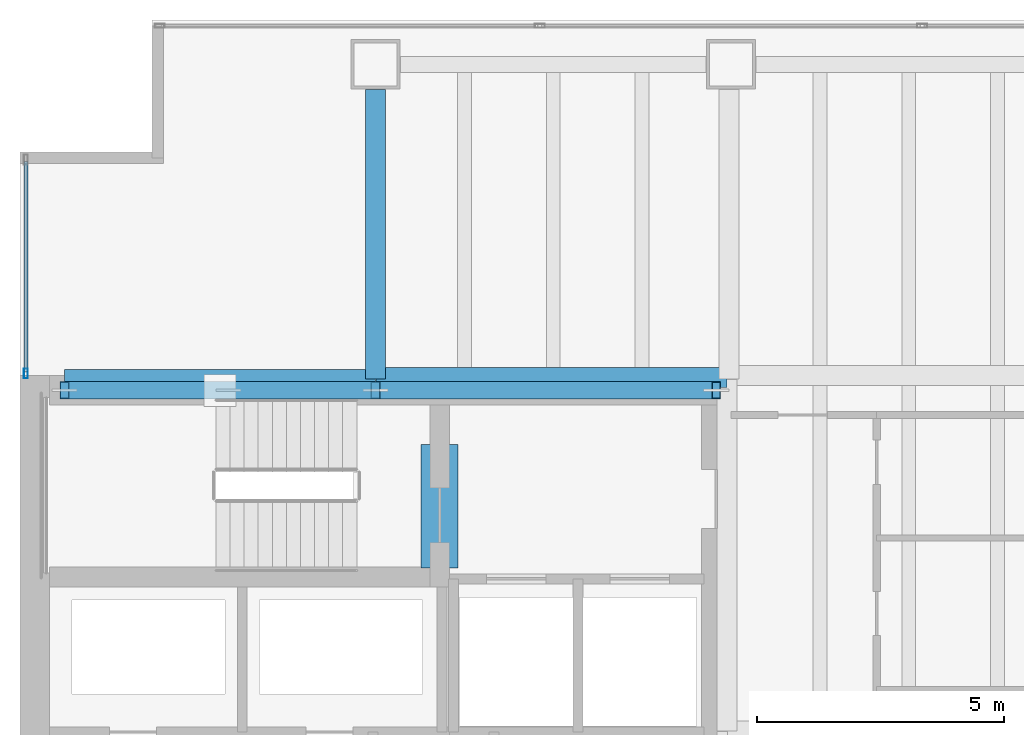
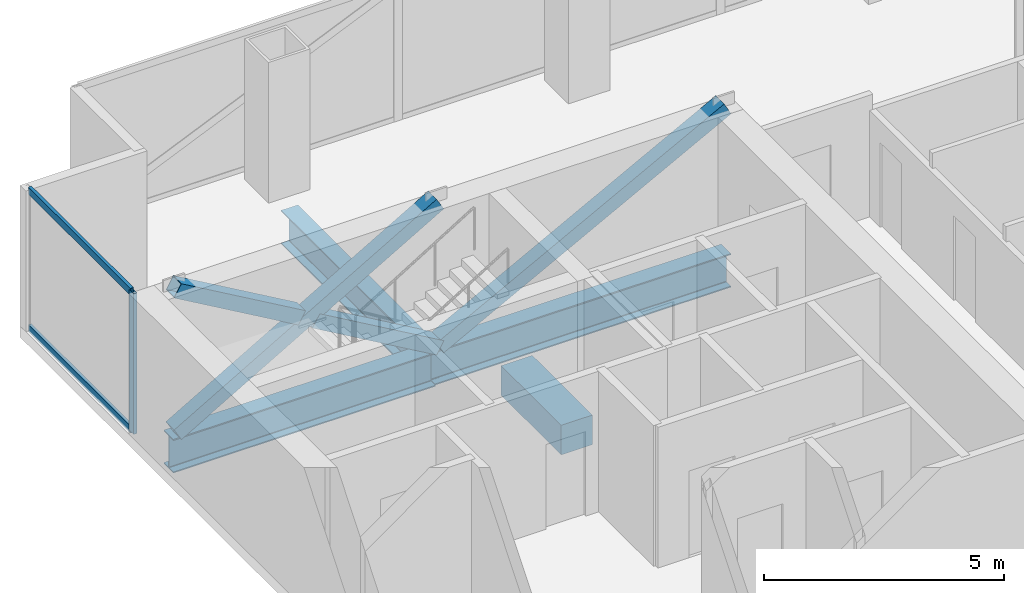
# One storey, part 14 of 23: 7 members, 4 beams, 1 element without a shape of its own.
"""IFC4 building model written with IfcOpenShell, lengths in metres."""

from ifc_helpers import new_model, si_unit, direction, frame, origin, origin_2d, place, context, subcontext, project, spatial, rectangle, hollow_rectangle, i_section, extrude, material, material_profile, profile_set, type_object, element, aggregate, save


model = new_model("IFC4")

# Units and contexts
model_context = context("Model", 3, precision=1e-05, world=origin(), true_north=direction((0.0, 1.0)))
body_context = subcontext(model_context, "Body", "Model", "MODEL_VIEW")
ifc_project = project(units=[si_unit("LENGTHUNIT", "METRE"), si_unit("AREAUNIT", "SQUARE_METRE"), si_unit("VOLUMEUNIT", "CUBIC_METRE"), si_unit("PLANEANGLEUNIT", "RADIAN"), si_unit("MASSUNIT", "GRAM", prefix="KILO")], contexts=[model_context])

# Site, building, storey
site_placement = place(None, origin())
site = spatial("IfcSite", under=ifc_project, at=site_placement, CompositionType="ELEMENT")
building_placement = place(site_placement, origin())
building = spatial("IfcBuilding", under=site, at=building_placement, Name="Cobrela Telecom Tower", CompositionType="ELEMENT")
storey_placement = place(building_placement, frame((0.0, 0.0, 54.25)))
storey = spatial("IfcBuildingStorey", under=building, at=storey_placement, Name="L13", CompositionType="ELEMENT", Elevation=54.25)

# Beams
ifc_material_1 = material(Name="Concrete C40/50", Category="concrete")
ifc_material_profile_1 = material_profile(ifc_material_1, rectangle(XDim=0.75, YDim=0.75, at=origin_2d()), Name="RC 750x750")
ifc_profile_set_1 = profile_set([ifc_material_profile_1], Name="Concrete C40/50")
beam_type_1 = type_object("IfcBeamType", Name="BM-COUP-RC", PredefinedType="LINTEL", material=ifc_profile_set_1)
beam_1_placement = place(storey_placement, frame((8.5, 32.10009765625, -0.6298828125), z_axis=(0.0, 1.0, 0.0), x_axis=(-1.0, 0.0, 0.0)))
element("IfcBeam", 1, at=beam_1_placement, inside=storey, type_object=beam_type_1, Name="L13 Core Coupling Lintel Beam", PredefinedType="LINTEL", context=body_context, shape_type="SweptSolid", body=[
    extrude(rectangle(XDim=0.75, YDim=0.75, at=origin_2d()), origin(), (0.0, 0.0, 1.0), 2.5),
])
ifc_material_2 = material(Name="Steel ASTM A992 Grade 50", Category="steel")
ifc_material_profile_2 = material_profile(ifc_material_2, i_section(OverallWidth=0.39892578125, OverallDepth=0.85595703125, WebThickness=0.018310546875, FlangeThickness=0.029296875, FilletRadius=0.02001953125, at=origin_2d()), Name="W33X201")
ifc_profile_set_2 = profile_set([ifc_material_profile_2], Name="Steel ASTM A992 Grade 50")
beam_type_2 = type_object("IfcBeamType", Name="BM-GIRD-03", PredefinedType="USERDEFINED", material=ifc_profile_set_2)
beam_2_placement = place(storey_placement, frame((0.905029296875, 35.919921875, -0.7080078125), z_axis=(1.0, 0.0, 0.0), x_axis=(0.0, 1.0, 0.0)))
element("IfcBeam", 2, at=beam_2_placement, inside=storey, type_object=beam_type_2, Name="L13 Primary Girder X25", ObjectType="GIRDER", PredefinedType="USERDEFINED", context=body_context, shape_type="SweptSolid", body=[
    extrude(i_section(OverallWidth=0.39892578125, OverallDepth=0.85595703125, WebThickness=0.018310546875, FlangeThickness=0.029296875, FilletRadius=0.02001953125, at=origin_2d()), origin(), (0.0, 0.0, 1.0), 6.2900390625),
])
beam_3_placement = place(storey_placement, frame((7.205078125, 35.9599609375, -0.7080078125), z_axis=(1.0, 0.0, 0.0), x_axis=(0.0, 1.0, 0.0)))
element("IfcBeam", 3, at=beam_3_placement, inside=storey, type_object=beam_type_2, Name="L13 Primary Girder X26", ObjectType="GIRDER", PredefinedType="USERDEFINED", context=body_context, shape_type="SweptSolid", body=[
    extrude(i_section(OverallWidth=0.39892578125, OverallDepth=0.85595703125, WebThickness=0.018310546875, FlangeThickness=0.029296875, FilletRadius=0.02001953125, at=origin_2d()), origin(), (0.0, 0.0, 1.0), 7.10986328125),
])
beam_4_placement = place(storey_placement, frame((7.199951171875, 35.925048828125, -0.7080078125), z_axis=(0.0, 1.0, 0.0), x_axis=(-1.0, 0.0, 0.0)))
element("IfcBeam", 4, at=beam_4_placement, inside=storey, type_object=beam_type_2, Name="L13 Primary Girder Y33", ObjectType="GIRDER", PredefinedType="USERDEFINED", context=body_context, shape_type="SweptSolid", body=[
    extrude(i_section(OverallWidth=0.39892578125, OverallDepth=0.85595703125, WebThickness=0.018310546875, FlangeThickness=0.029296875, FilletRadius=0.02001953125, at=origin_2d()), origin(), (0.0, 0.0, 1.0), 5.869873046875),
])

# Curtain wall, members
ifc_material_3 = material(Name="Anodized Bronze Aluminium 6063-T6", Category="aluminium")
curtain_wall_type = type_object("IfcCurtainWallType", Name="CW-SYS-DATA", PredefinedType="USERDEFINED", material=ifc_material_3)
curtain_wall_placement = place(storey_placement, origin())
curtain_wall = element("IfcCurtainWall", 5, at=curtain_wall_placement, inside=storey, type_object=curtain_wall_type, Name="L13 Unitised Bronze Curtain Wall 04", ObjectType="UNITISED CURTAIN WALL", PredefinedType="USERDEFINED")
ifc_material_profile_3 = material_profile(ifc_material_3, hollow_rectangle(XDim=0.080078125, YDim=0.199951171875, WallThickness=0.00390625, at=origin_2d()), Name="ALU 80x200x4")
ifc_profile_set_3 = profile_set([ifc_material_profile_3], Name="Anodized Bronze Aluminium 6063-T6")
member_type_1 = type_object("IfcMemberType", Name="CW-SYS-DATA-MUL", PredefinedType="MULLION", material=ifc_profile_set_3)
member_1_placement = place(storey_placement, frame((0.1201171875, 36.0400390625, 0.0), z_axis=(0.0, 0.0, 1.0), x_axis=(-1.0, 0.0, 0.0)))
member_1 = element("IfcMember", 6, at=member_1_placement, type_object=member_type_1, Name="CW-DATA mullion 1", PredefinedType="MULLION", context=body_context, shape_type="SweptSolid", body=[
    extrude(hollow_rectangle(XDim=0.080078125, YDim=0.199951171875, WallThickness=0.00390625, at=origin_2d()), origin(), (0.0, 0.0, 1.0), 3.570068359375),
])
ifc_material_profile_4 = material_profile(ifc_material_3, hollow_rectangle(XDim=0.074951171875, YDim=0.179931640625, WallThickness=0.00390625, at=origin_2d()), Name="ALU 75x180x4")
ifc_profile_set_4 = profile_set([ifc_material_profile_4], Name="Anodized Bronze Aluminium 6063-T6")
member_type_2 = type_object("IfcMemberType", Name="CW-SYS-DATA-TRN", PredefinedType="USERDEFINED", material=ifc_profile_set_4)
member_2_placement = place(storey_placement, frame((0.1201171875, 36.080078125, 0.03759765625), z_axis=(0.0, 1.0, 0.0), x_axis=(-1.0, 0.0, 0.0)))
member_2 = element("IfcMember", 7, at=member_2_placement, type_object=member_type_2, Name="CW-DATA transom 1.1", ObjectType="TRANSOM", PredefinedType="USERDEFINED", context=body_context, shape_type="SweptSolid", body=[
    extrude(hollow_rectangle(XDim=0.074951171875, YDim=0.179931640625, WallThickness=0.00390625, at=origin_2d()), origin(), (0.0, 0.0, 1.0), 4.25),
])
member_3_placement = place(storey_placement, frame((0.1201171875, 36.080078125, 3.532470703125), z_axis=(0.0, 1.0, 0.0), x_axis=(-1.0, 0.0, 0.0)))
member_3 = element("IfcMember", 8, at=member_3_placement, type_object=member_type_2, Name="CW-DATA transom 1.2", ObjectType="TRANSOM", PredefinedType="USERDEFINED", context=body_context, shape_type="SweptSolid", body=[
    extrude(hollow_rectangle(XDim=0.074951171875, YDim=0.179931640625, WallThickness=0.00390625, at=origin_2d()), origin(), (0.0, 0.0, 1.0), 4.25),
])
aggregate(curtain_wall, [member_1, member_2, member_3])

# Members
ifc_material_4 = material(Name="Steel ASTM A572 Grade 50", Category="steel")
ifc_material_profile_5 = material_profile(ifc_material_4, hollow_rectangle(XDim=0.35009765625, YDim=0.35009765625, WallThickness=0.01611328125, at=origin_2d()), Name="HSS 350x350x16")
ifc_profile_set_5 = profile_set([ifc_material_profile_5], Name="Steel ASTM A572 Grade 50")
member_type_3 = type_object("IfcMemberType", Name="MBR-EXO-02", PredefinedType="BRACE", material=ifc_profile_set_5)
member_4_placement = place(storey_placement, frame((0.89990234375, 35.699951171875, -0.0400390625), z_axis=(0.865262480916, 0.0, 0.501319099096), x_axis=(0.0, 1.0, 0.0)))
element("IfcMember", 9, at=member_4_placement, inside=storey, type_object=member_type_3, Name="L13 Core Flange Steel X-Brace Continuous A", PredefinedType="BRACE", context=body_context, shape_type="SweptSolid", body=[
    extrude(hollow_rectangle(XDim=0.35009765625, YDim=0.35009765625, WallThickness=0.01611328125, at=origin_2d()), origin(), (0.0, 0.0, 1.0), 7.281005859375),
])
for number, where, z_axis, x_axis, name in (
    (10, (7.199951171875, 35.699951171875, -0.0400390625), (-0.865266106373, 0.0, 0.50131284161), (0.0, -1.0, 0.0), "L13 Core Flange Steel X-Brace Split B1"),
    (11, (3.88037109375, 35.699951171875, 1.88330078125), (-0.865266106373, 0.0, 0.50131284161), (0.0, -1.0, 0.0), "L13 Core Flange Steel X-Brace Split B2"),
):
    element("IfcMember", number, at=place(storey_placement, frame(where, z_axis=z_axis, x_axis=x_axis)), inside=storey, type_object=member_type_3, Name=name, PredefinedType="BRACE", context=body_context, shape_type="SweptSolid", body=[
        extrude(hollow_rectangle(XDim=0.35009765625, YDim=0.35009765625, WallThickness=0.01611328125, at=origin_2d()), origin(), (0.0, 0.0, 1.0), 3.444580078125),
    ])
member_5_placement = place(storey_placement, frame((7.199951171875, 35.699951171875, -0.0400390625), z_axis=(0.883940020796, 0.0, 0.46760029901), x_axis=(0.0, 1.0, 0.0)))
element("IfcMember", 12, at=member_5_placement, inside=storey, type_object=member_type_3, Name="L13 Core Flange Steel Brace N2", PredefinedType="BRACE", context=body_context, shape_type="SweptSolid", body=[
    extrude(hollow_rectangle(XDim=0.35009765625, YDim=0.35009765625, WallThickness=0.01611328125, at=origin_2d()), origin(), (0.0, 0.0, 1.0), 7.80615234375),
])

save(model, "model.ifc")
